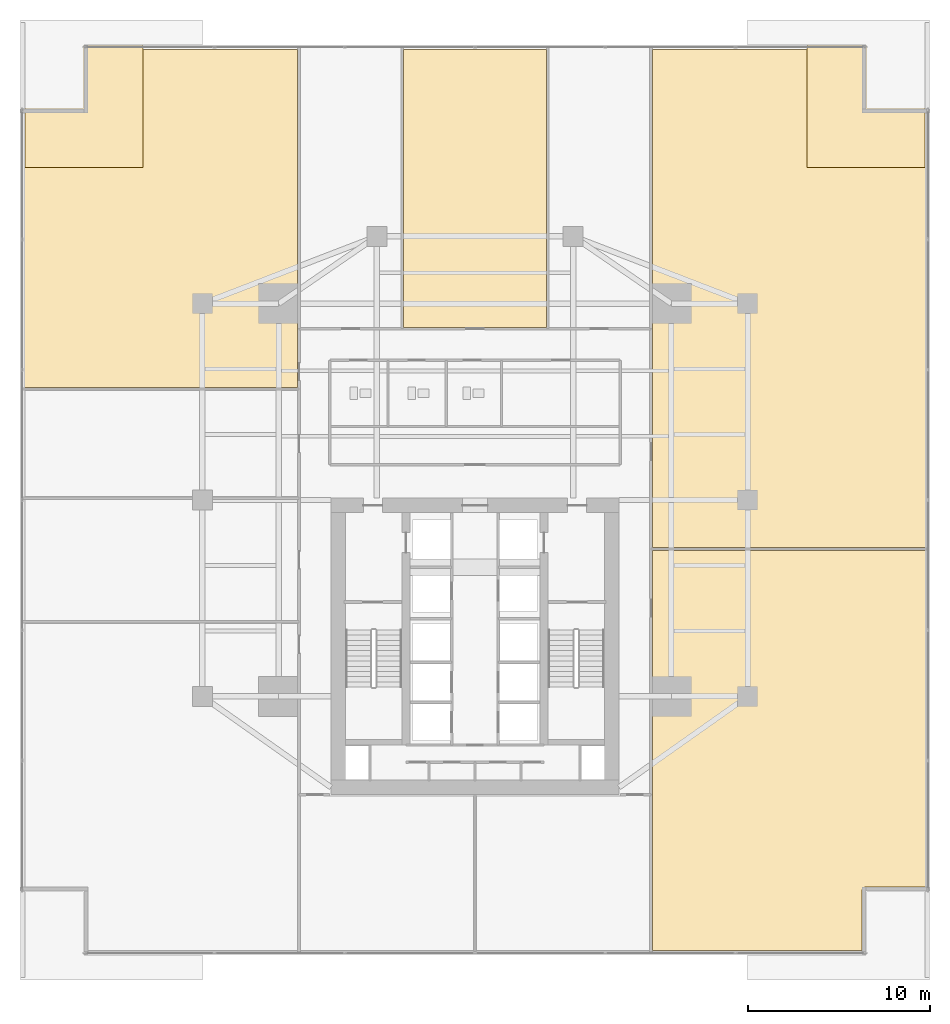
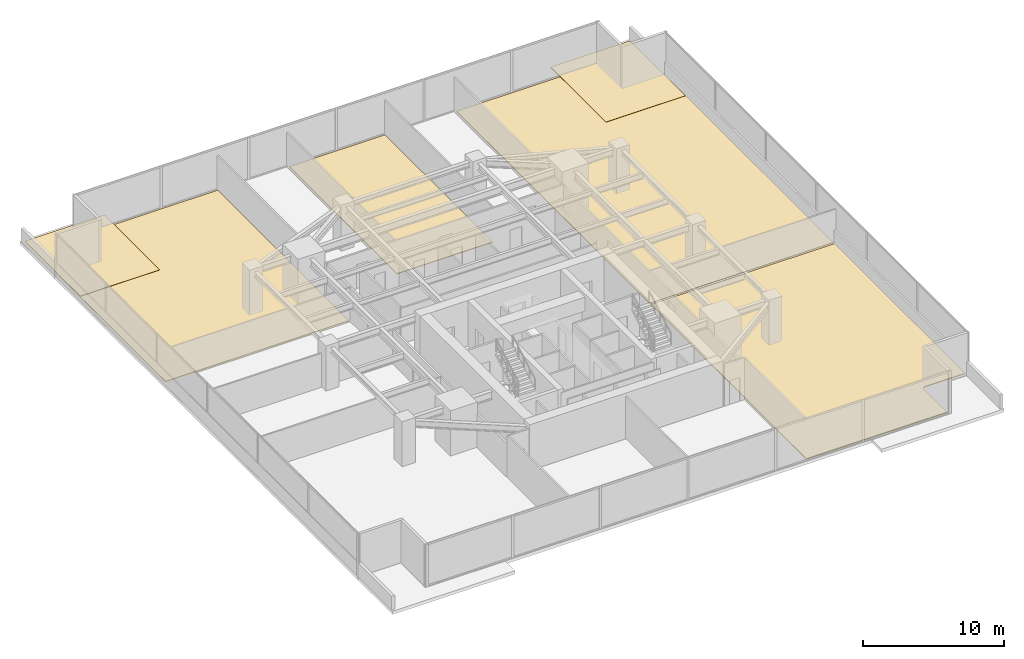
# One storey, part 29 of 30: 6 coverings.
"""IFC4 building model written with IfcOpenShell, lengths in metres."""

import ifcopenshell
import ifcopenshell.guid

model = None  # the IFC model being written
_history = None  # IfcOwnerHistory: only IFC2X3 demands one
_inside = {}  # id of a spatial element -> (the spatial element, [elements in it])
_under = {}  # id of a project, library or spatial element -> (it, [spatial elements below it])
_declared = {}  # id of a project -> (the project, [libraries it declares])
_typed = {}  # id of a type object -> (the type object, [elements of that type])
_made_of = {}  # id of a material, layer set ... -> (it, [elements and type objects made of it])


def new_model(schema):
    """Start an empty IFC model of exactly this schema.

    Asked for "IFC4X3", IfcOpenShell would pick the latest addendum, in which some entities
    have other attributes; the version numbers below select the first issue.
    IFC2X3 requires an IfcOwnerHistory on every rooted entity: one is made here for all.
    """
    global model, _history
    if schema == "IFC4X3":
        model = ifcopenshell.file(schema_version=(4, 3, 0, 0))
    else:
        model = ifcopenshell.file(schema=schema)
    _inside.clear()
    _under.clear()
    _declared.clear()
    _typed.clear()
    _made_of.clear()
    _history = None
    if model.schema == "IFC2X3":
        org = make("IfcOrganization", Name="unknown")
        user = make(
            "IfcPersonAndOrganization",
            ThePerson=make("IfcPerson", FamilyName="unknown"),
            TheOrganization=org,
        )
        app = make(
            "IfcApplication",
            ApplicationDeveloper=org,
            Version="unknown",
            ApplicationFullName="unknown",
            ApplicationIdentifier="unknown",
        )
        _history = make(
            "IfcOwnerHistory",
            OwningUser=user,
            OwningApplication=app,
            ChangeAction="ADDED",
            CreationDate=0,
        )
    return model


def make(cls, **values):
    """One entity of the class cls with the attributes given. An attribute that is None is left unset."""
    return model.create_entity(
        cls, **{name: value for name, value in values.items() if value is not None}
    )


def rooted(cls, **values):
    """An entity with a GlobalId (a new one), such as an element, a storey or a relation."""
    return make(cls, GlobalId=ifcopenshell.guid.new(), OwnerHistory=_history, **values)


def si_unit(unit_type, name, prefix=None):
    """IfcSIUnit, for example si_unit("LENGTHUNIT", "METRE", prefix="MILLI")."""
    return make("IfcSIUnit", UnitType=unit_type, Prefix=prefix, Name=name)


def assignment(units):
    """IfcUnitAssignment: the units of a project."""
    return None if units is None else make("IfcUnitAssignment", Units=units)


def point(xyz):
    """IfcCartesianPoint."""
    return None if xyz is None else make("IfcCartesianPoint", Coordinates=xyz)


def direction(xyz):
    """IfcDirection."""
    return None if xyz is None else make("IfcDirection", DirectionRatios=xyz)


def frame(location, z_axis=None, x_axis=None):
    """IfcAxis2Placement3D, a coordinate frame: its origin and axes. An axis left out is left unset."""
    return make(
        "IfcAxis2Placement3D",
        Location=point(location),
        Axis=direction(z_axis),
        RefDirection=direction(x_axis),
    )


def origin():
    """The frame at (0, 0, 0) with its axes left unset."""
    return frame((0.0, 0.0, 0.0))


def place(relative_to, where):
    """IfcLocalPlacement: puts the frame where relative to a parent placement (None: the world)."""
    return make(
        "IfcLocalPlacement", PlacementRelTo=relative_to, RelativePlacement=where
    )


def context(
    kind, dimensions, precision=None, world=None, true_north=None, identifier=None
):
    """IfcGeometricRepresentationContext, for example the 3D "Model" context."""
    return make(
        "IfcGeometricRepresentationContext",
        ContextIdentifier=identifier,
        ContextType=kind,
        CoordinateSpaceDimension=dimensions,
        Precision=precision,
        WorldCoordinateSystem=world,
        TrueNorth=true_north,
    )


def subcontext(parent, identifier, kind, view, scale=None):
    """IfcGeometricRepresentationSubContext, for example "Body" below "Model"."""
    return make(
        "IfcGeometricRepresentationSubContext",
        ContextIdentifier=identifier,
        ContextType=kind,
        ParentContext=parent,
        TargetScale=scale,
        TargetView=view,
    )


def project(units=None, contexts=None):
    """IfcProject with its units and contexts."""
    return rooted(
        "IfcProject",
        Name="project",
        RepresentationContexts=contexts,
        UnitsInContext=assignment(units),
    )


def spatial(cls, under=None, at=None, **own):
    """A site, building, storey or space (cls), placed at a placement, below another one or the project."""
    s = rooted(cls, ObjectPlacement=at, **own)
    if under is not None:
        _under.setdefault(under.id(), (under, []))[1].append(s)
    return s


def polyline(points):
    """IfcPolyline through the points."""
    return make("IfcPolyline", Points=[point(p) for p in points])


def outline(outer, holes=None, kind="AREA"):
    """IfcArbitraryClosedProfileDef: a profile drawn as a closed curve; with holes, ...WithVoids."""
    if holes is None:
        return make("IfcArbitraryClosedProfileDef", ProfileType=kind, OuterCurve=outer)
    return make(
        "IfcArbitraryProfileDefWithVoids",
        ProfileType=kind,
        OuterCurve=outer,
        InnerCurves=holes,
    )


def extrude(swept, where, along, depth):
    """IfcExtrudedAreaSolid: the profile swept, set in the frame where, extruded along a direction by depth."""
    return make(
        "IfcExtrudedAreaSolid",
        SweptArea=swept,
        Position=where,
        ExtrudedDirection=direction(along),
        Depth=depth,
    )


def shape(context_of_items, identifier, shape_type, items):
    """IfcShapeRepresentation: the items that make up one representation, for example the "Body"."""
    return make(
        "IfcShapeRepresentation",
        ContextOfItems=context_of_items,
        RepresentationIdentifier=identifier,
        RepresentationType=shape_type,
        Items=items,
    )


def material(Name=None, Category=None):
    """IfcMaterial."""
    return make("IfcMaterial", Name=Name, Category=Category)


def layer(
    of_material, thickness, ventilated=None, Name=None, Category=None, Priority=None
):
    """IfcMaterialLayer: one layer of a wall or slab, of a material (None: an air gap)."""
    return make(
        "IfcMaterialLayer",
        Material=of_material,
        LayerThickness=thickness,
        IsVentilated=ventilated,
        Name=Name,
        Category=Category,
        Priority=Priority,
    )


def layer_set(layers, Name=None):
    """IfcMaterialLayerSet."""
    return make("IfcMaterialLayerSet", MaterialLayers=layers, LayerSetName=Name)


def made_of(thing, what):
    """Note that an element or type object is made of a material, layer set ...; save() writes the relation."""
    if what is not None:
        _made_of.setdefault(what.id(), (what, []))[1].append(thing)
    return thing


def type_object(cls, material=None, **own):
    """A type object (cls), such as IfcWallType, which elements share."""
    return made_of(rooted(cls, **own), material)


def element(
    cls,
    number,
    at=None,
    inside=None,
    cuts=None,
    type_object=None,
    material=None,
    context=None,
    identifier="Body",
    shape_type=None,
    held_by="IfcProductDefinitionShape",
    body=None,
    shapes=None,
    **own,
):
    """One element of the class cls, such as IfcWall. Its Tag is "e" and its number.

    at: its placement. inside: the storey or other place that contains it. cuts: it is an
    opening in that element (IfcRelVoidsElement). A single representation is given by context,
    identifier, shape_type and body (its items); several are given by shapes. held_by: the class
    of the entity that holds the representations. save() writes the other relations.
    """
    e = rooted(cls, Tag="e%d" % number, ObjectPlacement=at, **own)
    if body is not None:
        shapes = [shape(context, identifier, shape_type, body)]
    if shapes is not None:
        e.Representation = make(held_by, Representations=shapes)
    if inside is not None:
        _inside.setdefault(inside.id(), (inside, []))[1].append(e)
    if cuts is not None:
        rooted(
            "IfcRelVoidsElement", RelatingBuildingElement=cuts, RelatedOpeningElement=e
        )
    if type_object is not None:
        _typed.setdefault(type_object.id(), (type_object, []))[1].append(e)
    return made_of(e, material)


def aggregate(whole, parts):
    """IfcRelAggregates: a whole, such as a stair, and the parts it consists of."""
    return rooted("IfcRelAggregates", RelatingObject=whole, RelatedObjects=parts)


def save(model, path):
    """Write the relations noted so far, then the file.

    IfcRelAggregates (storeys below a building ...), IfcRelContainedInSpatialStructure (elements
    in a storey), IfcRelDefinesByType, IfcRelAssociatesMaterial and IfcRelDeclares: one each for
    every whole, place, type object, material and project.
    """
    for whole, parts in _under.values():
        aggregate(whole, parts)
    for where, things in _inside.values():
        rooted(
            "IfcRelContainedInSpatialStructure",
            RelatedElements=things,
            RelatingStructure=where,
        )
    for kind, things in _typed.values():
        rooted("IfcRelDefinesByType", RelatedObjects=things, RelatingType=kind)
    for what, things in _made_of.values():
        rooted("IfcRelAssociatesMaterial", RelatedObjects=things, RelatingMaterial=what)
    for by, libraries in _declared.values():
        rooted("IfcRelDeclares", RelatingContext=by, RelatedDefinitions=libraries)
    model.write(path)


model = new_model("IFC4")

# Units and contexts
model_context = context("Model", 3, precision=1e-05, world=origin(), true_north=direction((0.0, 1.0)))
body_context = subcontext(model_context, "Body", "Model", "MODEL_VIEW")
ifc_project = project(units=[si_unit("LENGTHUNIT", "METRE"), si_unit("AREAUNIT", "SQUARE_METRE"), si_unit("VOLUMEUNIT", "CUBIC_METRE"), si_unit("PLANEANGLEUNIT", "RADIAN"), si_unit("MASSUNIT", "GRAM", prefix="KILO")], contexts=[model_context])

# Site, building, storey
site_placement = place(None, origin())
site = spatial("IfcSite", under=ifc_project, at=site_placement, CompositionType="ELEMENT")
building_placement = place(site_placement, origin())
building = spatial("IfcBuilding", under=site, at=building_placement, Name="Krantzveldt Concourse Tower", CompositionType="ELEMENT")
storey_placement = place(building_placement, frame((0.0, 0.0, 25.0)))
storey = spatial("IfcBuildingStorey", under=building, at=storey_placement, Name="L05", CompositionType="ELEMENT", Elevation=25.0)

# Coverings
ifc_material_1 = material(Name="Calcium-sulphate raised access floor panel", Category="flooring")
ifc_layer_1 = layer(ifc_material_1, 0.050048828125, Name="Calcium-sulphate raised access floor panel", Category="flooring")
ifc_layer_set_1 = layer_set([ifc_layer_1], Name="Calcium-sulphate raised access floor panel (COV-FLOOR-RAISED)")
covering_type_1 = type_object("IfcCoveringType", Name="COV-FLOOR-RAISED", PredefinedType="FLOORING", material=ifc_layer_set_1)
covering_1_placement = place(storey_placement, origin())
element("IfcCovering", 1, at=covering_1_placement, inside=storey, type_object=covering_type_1, Name="FLR-SP-L05-NR2", PredefinedType="FLOORING", context=body_context, shape_type="SweptSolid", body=[
    extrude(outline(polyline([(32.080078125, 36.199951171875), (32.080078125, 51.47998046875), (39.919921875, 51.47998046875), (39.919921875, 36.199951171875), (32.080078125, 36.199951171875)])), origin(), (0.0, 0.0, 1.0), 0.050048828125),
])
covering_2_placement = place(storey_placement, origin())
element("IfcCovering", 2, at=covering_2_placement, inside=storey, type_object=covering_type_1, Name="FLR-SP-L05-WR4", PredefinedType="FLOORING", context=body_context, shape_type="SweptSolid", body=[
    extrude(outline(polyline([(11.219970703125, 32.8798828125), (11.219970703125, 47.97998046875), (14.5, 47.97998046875), (14.521484375, 47.98095703125), (14.54296875, 47.984130859375), (14.56396484375, 47.989501953125), (14.584228515625, 47.996826171875), (14.603759765625, 48.005859375), (14.622314453125, 48.01708984375), (14.6396484375, 48.030029296875), (14.655517578125, 48.04443359375), (14.670166015625, 48.060546875), (14.682861328125, 48.077880859375), (14.694091796875, 48.09619140625), (14.703369140625, 48.11572265625), (14.71044921875, 48.13623046875), (14.7158203125, 48.156982421875), (14.718994140625, 48.178466796875), (14.719970703125, 48.199951171875), (14.719970703125, 51.47998046875), (26.239990234375, 51.47998046875), (26.239990234375, 32.8798828125), (11.219970703125, 32.8798828125)])), origin(), (0.0, 0.0, 1.0), 0.050048828125),
])
covering_3_placement = place(storey_placement, origin())
element("IfcCovering", 3, at=covering_3_placement, inside=storey, type_object=covering_type_1, Name="FLR-SP-L05-ER1", PredefinedType="FLOORING", context=body_context, shape_type="SweptSolid", body=[
    extrude(outline(polyline([(60.780029296875, 23.919921875), (60.780029296875, 5.419921875), (57.5, 5.419921875), (57.478515625, 5.4189453125), (57.45703125, 5.415771484375), (57.43603515625, 5.41064453125), (57.415771484375, 5.4033203125), (57.396240234375, 5.39404296875), (57.377685546875, 5.3828125), (57.3603515625, 5.3701171875), (57.344482421875, 5.35546875), (57.329833984375, 5.339599609375), (57.317138671875, 5.322265625), (57.305908203125, 5.3037109375), (57.296630859375, 5.2841796875), (57.28955078125, 5.263916015625), (57.2841796875, 5.242919921875), (57.281005859375, 5.2216796875), (57.280029296875, 5.199951171875), (57.280029296875, 1.919921875), (45.760009765625, 1.919921875), (45.760009765625, 23.919921875), (60.780029296875, 23.919921875)])), origin(), (0.0, 0.0, 1.0), 0.050048828125),
])
covering_4_placement = place(storey_placement, origin())
element("IfcCovering", 4, at=covering_4_placement, inside=storey, type_object=covering_type_1, Name="FLR-SP-L05-ER2", PredefinedType="FLOORING", context=body_context, shape_type="SweptSolid", body=[
    extrude(outline(polyline([(45.760009765625, 51.47998046875), (57.280029296875, 51.47998046875), (57.280029296875, 48.199951171875), (57.281005859375, 48.178466796875), (57.2841796875, 48.156982421875), (57.28955078125, 48.13623046875), (57.296630859375, 48.11572265625), (57.305908203125, 48.09619140625), (57.317138671875, 48.077880859375), (57.329833984375, 48.060546875), (57.344482421875, 48.04443359375), (57.3603515625, 48.030029296875), (57.377685546875, 48.01708984375), (57.396240234375, 48.005859375), (57.415771484375, 47.996826171875), (57.43603515625, 47.989501953125), (57.45703125, 47.984130859375), (57.478515625, 47.98095703125), (57.5, 47.97998046875), (60.780029296875, 47.97998046875), (60.780029296875, 24.080078125), (45.760009765625, 24.080078125), (45.760009765625, 51.47998046875)])), origin(), (0.0, 0.0, 1.0), 0.050048828125),
])
ifc_material_2 = material(Name="EPDM waterproof membrane and ballast", Category="membrane")
ifc_layer_2 = layer(ifc_material_2, 0.06005859375, Name="EPDM waterproof membrane and ballast", Category="membrane")
ifc_layer_set_2 = layer_set([ifc_layer_2], Name="EPDM waterproof membrane and ballast (COV-ROOF-EPDM)")
covering_type_2 = type_object("IfcCoveringType", Name="COV-ROOF-EPDM", PredefinedType="ROOFING", material=ifc_layer_set_2)
covering_5_placement = place(storey_placement, origin())
element("IfcCovering", 5, at=covering_5_placement, inside=storey, type_object=covering_type_2, Name="COV-L05-POD-W", PredefinedType="ROOFING", context=body_context, shape_type="SweptSolid", body=[
    extrude(outline(polyline([(11.25, 45.0), (17.75, 45.0), (17.75, 52.85009765625), (11.25, 52.85009765625), (11.25, 45.0)])), origin(), (0.0, 0.0, 1.0), 0.06005859375),
])
covering_6_placement = place(storey_placement, origin())
element("IfcCovering", 6, at=covering_6_placement, inside=storey, type_object=covering_type_2, Name="COV-L05-POD-E", PredefinedType="ROOFING", context=body_context, shape_type="SweptSolid", body=[
    extrude(outline(polyline([(54.25, 45.0), (60.75, 45.0), (60.75, 52.85009765625), (54.25, 52.85009765625), (54.25, 45.0)])), origin(), (0.0, 0.0, 1.0), 0.06005859375),
])

save(model, "model.ifc")
